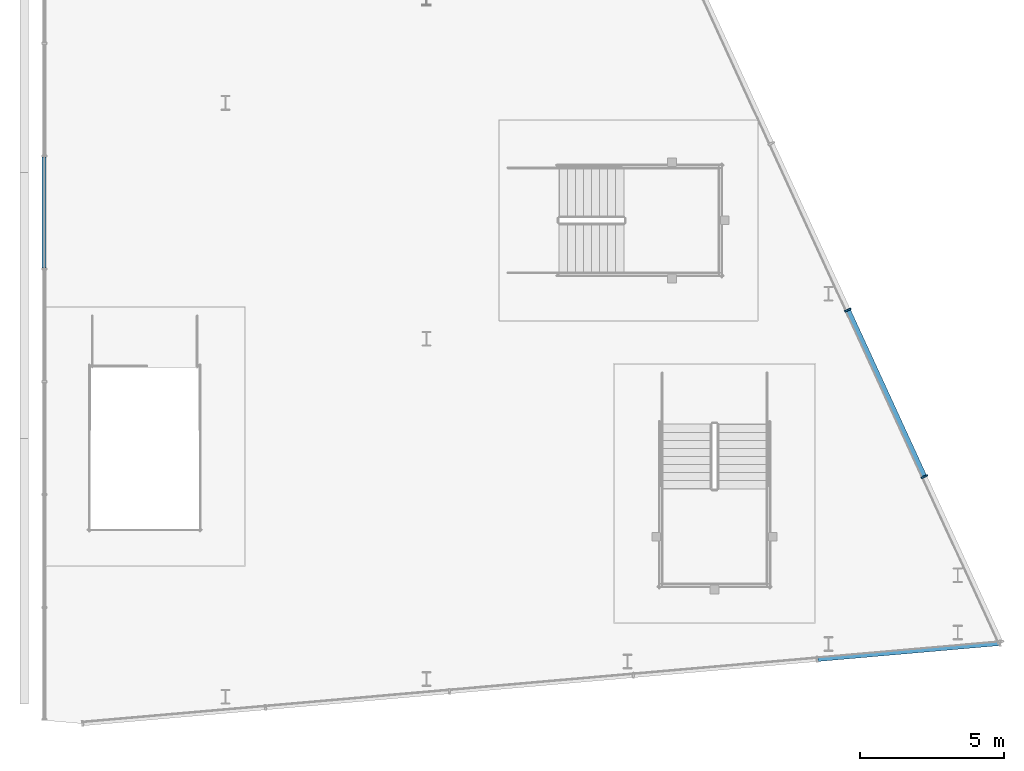
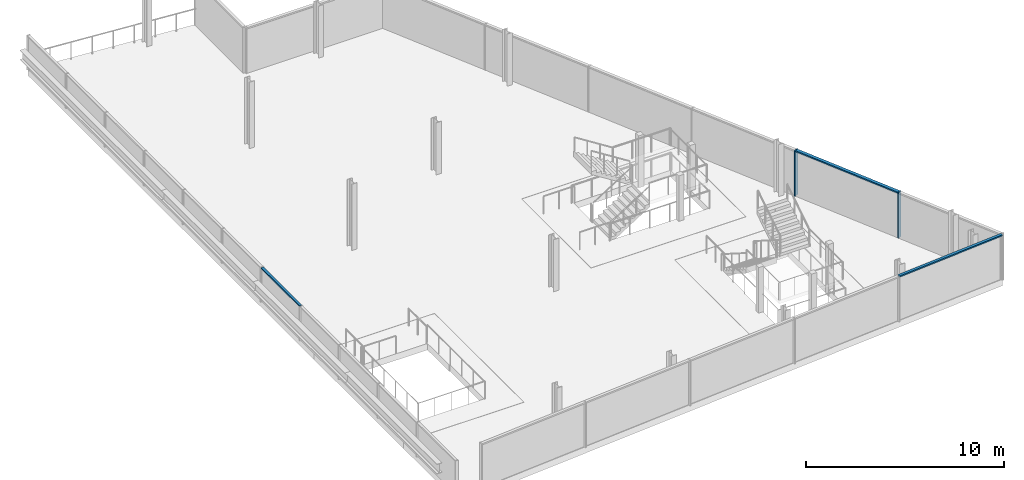
# One storey, part 3 of 9: 5 members, 3 elements without a shape of their own.
"""IFC4 building model written with IfcOpenShell, lengths in metres."""

from ifc_helpers import new_model, si_unit, direction, frame, origin, origin_2d, place, context, subcontext, project, spatial, rectangle, extrude, material, material_profile, profile_set, type_object, element, aggregate, save


model = new_model("IFC4")

# Units and contexts
model_context = context("Model", 3, precision=1e-05, world=origin(), true_north=direction((0.0, 1.0)))
body_context = subcontext(model_context, "Body", "Model", "MODEL_VIEW")
ifc_project = project(units=[si_unit("LENGTHUNIT", "METRE"), si_unit("AREAUNIT", "SQUARE_METRE"), si_unit("VOLUMEUNIT", "CUBIC_METRE"), si_unit("PLANEANGLEUNIT", "RADIAN"), si_unit("MASSUNIT", "GRAM", prefix="KILO")], contexts=[model_context])

# Site, building, storey
site_placement = place(None, origin())
site = spatial("IfcSite", under=ifc_project, at=site_placement, CompositionType="ELEMENT")
building_placement = place(site_placement, origin())
building = spatial("IfcBuilding", under=site, at=building_placement, Name="Wharfspan Tower", CompositionType="ELEMENT")
storey_placement = place(building_placement, frame((0.0, 0.0, 270.699951)))
storey = spatial("IfcBuildingStorey", under=building, at=storey_placement, Name="L69", CompositionType="ELEMENT", Elevation=270.699951)

# Curtain wall, members
ifc_material = material(Name="Aluminium 6063-T6", Category="aluminium")
curtain_wall_type_1 = type_object("IfcCurtainWallType", Name="CURTAIN WALL PROW AND END", PredefinedType="NOTDEFINED", material=ifc_material)
curtain_wall_1_placement = place(storey_placement, origin())
curtain_wall_1 = element("IfcCurtainWall", 1, at=curtain_wall_1_placement, inside=storey, type_object=curtain_wall_type_1, Name="Crown curtain wall E", PredefinedType="NOTDEFINED")
ifc_material_profile_1 = material_profile(ifc_material, rectangle(XDim=0.23999, YDim=0.060059, at=origin_2d()))
ifc_profile_set_1 = profile_set([ifc_material_profile_1], Name="Aluminium 6063-T6")
member_type_1 = type_object("IfcMemberType", Name="MULLION PROW AND END 60x240", PredefinedType="MULLION", material=ifc_profile_set_1)
member_1_placement = place(storey_placement, frame((75.33667, 14.600098, 0.0), z_axis=(0.0, 0.0, 1.0), x_axis=(-0.908769, -0.417292, 0.0)))
member_1 = element("IfcMember", 2, at=member_1_placement, type_object=member_type_1, Name="Crown curtain wall E mullion 2", PredefinedType="MULLION", context=body_context, shape_type="SweptSolid", body=[
    extrude(rectangle(XDim=0.23999, YDim=0.060059, at=origin_2d()), origin(), (0.0, 0.0, 1.0), 2.800049),
])
member_2_placement = place(storey_placement, frame((72.673584, 20.399902, 0.0), z_axis=(0.0, 0.0, 1.0), x_axis=(-0.908769, -0.417292, 0.0)))
member_2 = element("IfcMember", 3, at=member_2_placement, type_object=member_type_1, Name="Crown curtain wall E mullion 3", PredefinedType="MULLION", context=body_context, shape_type="SweptSolid", body=[
    extrude(rectangle(XDim=0.23999, YDim=0.060059, at=origin_2d()), origin(), (0.0, 0.0, 1.0), 2.800049),
])

# Curtain wall, member
curtain_wall_type_2 = type_object("IfcCurtainWallType", Name="CURTAIN WALL CROWN GABLE", PredefinedType="NOTDEFINED", material=ifc_material)
curtain_wall_2_placement = place(storey_placement, origin())
curtain_wall_2 = element("IfcCurtainWall", 4, at=curtain_wall_2_placement, inside=storey, type_object=curtain_wall_type_2, Name="Crown gable glazing", PredefinedType="NOTDEFINED")
ifc_material_profile_2 = material_profile(ifc_material, rectangle(XDim=0.139893, YDim=0.070068, at=origin_2d()))
ifc_profile_set_2 = profile_set([ifc_material_profile_2], Name="Aluminium 6063-T6")
member_type_2 = type_object("IfcMemberType", Name="TRANSOM CROWN GABLE 70x140", PredefinedType="USERDEFINED", material=ifc_profile_set_2)
member_3_placement = place(storey_placement, frame((44.691162, 21.862793, 2.089355), z_axis=(0.0, 1.0, 0.0), x_axis=(-1.0, 0.0, 0.0)))
member_3 = element("IfcMember", 5, at=member_3_placement, type_object=member_type_2, Name="Crown gable glazing transom 5", ObjectType="TRANSOM", PredefinedType="USERDEFINED", context=body_context, shape_type="SweptSolid", body=[
    extrude(rectangle(XDim=0.139893, YDim=0.070068, at=origin_2d()), origin(), (0.0, 0.0, 1.0), 3.869629),
])
aggregate(curtain_wall_2, [member_3])

curtain_wall_type_3 = type_object("IfcCurtainWallType", Name="CURTAIN WALL FACETED FRONT", PredefinedType="NOTDEFINED", material=ifc_material)
curtain_wall_3_placement = place(storey_placement, origin())
curtain_wall_3 = element("IfcCurtainWall", 6, at=curtain_wall_3_placement, inside=storey, type_object=curtain_wall_type_3, Name="Crown curtain wall S2", PredefinedType="NOTDEFINED")
ifc_material_profile_3 = material_profile(ifc_material, rectangle(XDim=0.159912, YDim=0.080078, at=origin_2d()))
ifc_profile_set_3 = profile_set([ifc_material_profile_3], Name="Aluminium 6063-T6")
member_type_3 = type_object("IfcMemberType", Name="TRANSOM FACETED FRONT 80x160", PredefinedType="USERDEFINED", material=ifc_profile_set_3)
member_4_placement = place(storey_placement, frame((71.629883, 8.242676, 2.76001), z_axis=(0.996196, 0.087144, 0.0), x_axis=(-0.087144, 0.996196, 0.0)))
member_4 = element("IfcMember", 7, at=member_4_placement, type_object=member_type_3, Name="Crown curtain wall S2 transom 5", ObjectType="TRANSOM", PredefinedType="USERDEFINED", context=body_context, shape_type="SweptSolid", body=[
    extrude(rectangle(XDim=0.159912, YDim=0.080078, at=origin_2d()), origin(), (0.0, 0.0, 1.0), 6.334473),
])
aggregate(curtain_wall_3, [member_4])

# Member
ifc_material_profile_4 = material_profile(ifc_material, rectangle(XDim=0.179932, YDim=0.080078, at=origin_2d()))
ifc_profile_set_4 = profile_set([ifc_material_profile_4], Name="Aluminium 6063-T6")
member_type_4 = type_object("IfcMemberType", Name="TRANSOM PROW AND END 80x180", PredefinedType="USERDEFINED", material=ifc_profile_set_4)
member_5_placement = place(storey_placement, frame((75.324219, 14.627197, 2.76001), z_axis=(-0.41728, 0.908778, 0.0), x_axis=(-0.908778, -0.41728, 0.0)))
member_5 = element("IfcMember", 8, at=member_5_placement, type_object=member_type_4, Name="Crown curtain wall E transom 2", ObjectType="TRANSOM", PredefinedType="USERDEFINED", context=body_context, shape_type="SweptSolid", body=[
    extrude(rectangle(XDim=0.179932, YDim=0.080078, at=origin_2d()), origin(), (0.0, 0.0, 1.0), 6.322266),
])

aggregate(curtain_wall_1, [member_1, member_2, member_5])

save(model, "model.ifc")
